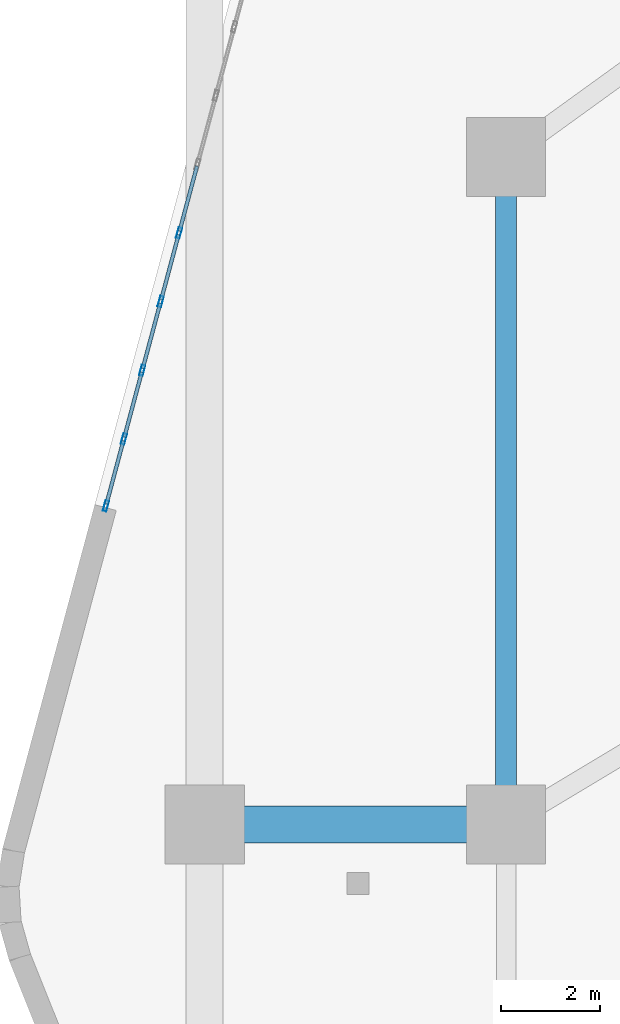
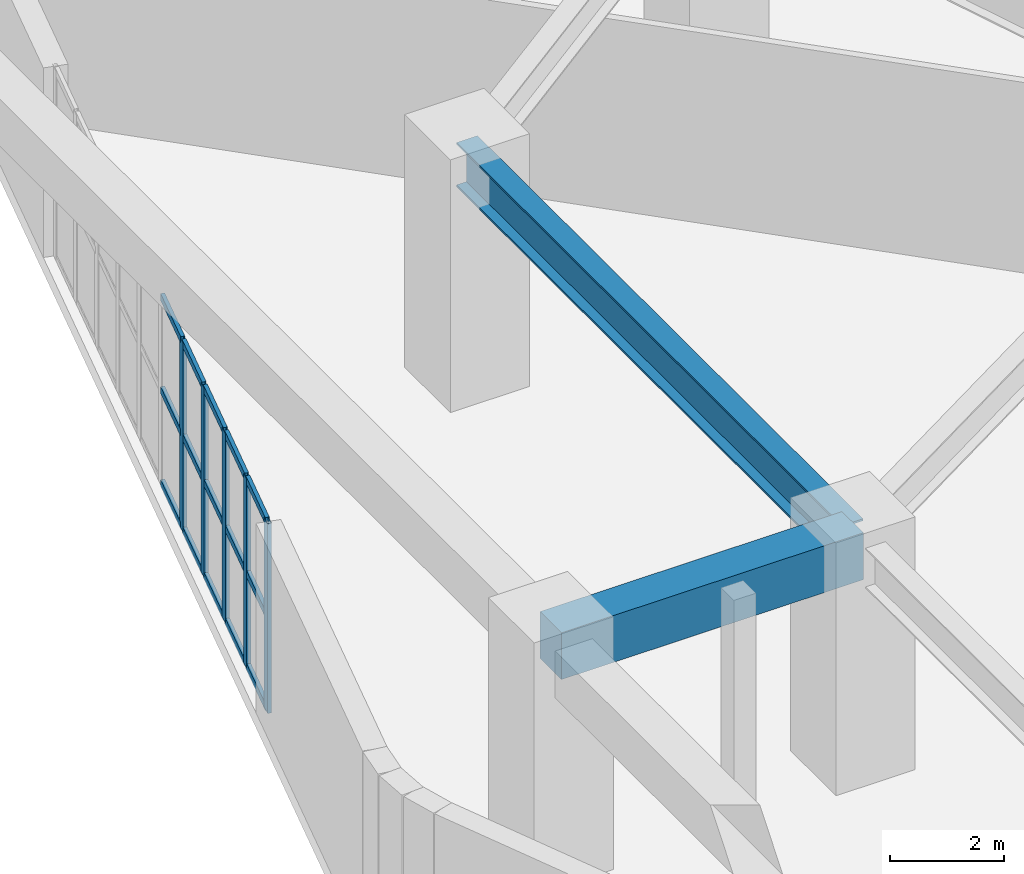
# One storey, part 13 of 34: 20 members, 2 beams, 1 element without a shape of its own.
"""IFC4 building model written with IfcOpenShell, lengths in metres."""

from ifc_helpers import new_model, si_unit, direction, frame, origin, origin_2d, place, context, subcontext, project, spatial, rectangle, hollow_rectangle, i_section, extrude, material, layer, layer_set, material_profile, profile_set, type_object, element, aggregate, save


model = new_model("IFC4")

# Units and contexts
model_context = context("Model", 3, precision=1e-05, world=origin(), true_north=direction((0.0, 1.0)))
body_context = subcontext(model_context, "Body", "Model", "MODEL_VIEW")
ifc_project = project(units=[si_unit("LENGTHUNIT", "METRE"), si_unit("AREAUNIT", "SQUARE_METRE"), si_unit("VOLUMEUNIT", "CUBIC_METRE"), si_unit("PLANEANGLEUNIT", "RADIAN"), si_unit("MASSUNIT", "GRAM", prefix="KILO")], contexts=[model_context])

# Site, building, storey
site_placement = place(None, origin())
site = spatial("IfcSite", under=ifc_project, at=site_placement, CompositionType="ELEMENT")
building_placement = place(site_placement, origin())
building = spatial("IfcBuilding", under=site, at=building_placement, Name="Kilnhurst Terrace Hotel", CompositionType="ELEMENT")
storey_placement = place(building_placement, frame((0.0, 0.0, 6.0)))
storey = spatial("IfcBuildingStorey", under=building, at=storey_placement, Name="L01", CompositionType="ELEMENT", Elevation=6.0)

# Beam
ifc_material_1 = material(Name="Steel ASTM A992 Grade 50", Category="steel")
ifc_material_profile_1 = material_profile(ifc_material_1, i_section(OverallWidth=0.423095703125, OverallDepth=0.9482421875, WebThickness=0.02392578125, FlangeThickness=0.042724609375, at=origin_2d()), Name="W36X302")
ifc_profile_set_1 = profile_set([ifc_material_profile_1], Name="Steel ASTM A992 Grade 50")
beam_type_1 = type_object("IfcBeamType", Name="BM-STL-W36X302", PredefinedType="BEAM", material=ifc_profile_set_1)
beam_1_placement = place(storey_placement, frame((-21.5, 0.0, 4.60595703125), z_axis=(0.0, 1.0, 0.0), x_axis=(-1.0, 0.0, 0.0)))
element("IfcBeam", 1, at=beam_1_placement, inside=storey, type_object=beam_type_1, Name="L01 Podium Frame Beam 2", PredefinedType="BEAM", context=body_context, shape_type="SweptSolid", body=[
    extrude(i_section(OverallWidth=0.423095703125, OverallDepth=0.9482421875, WebThickness=0.02392578125, FlangeThickness=0.042724609375, at=origin_2d()), origin(), (0.0, 0.0, 1.0), 13.5),
])

# Curtain wall, members
ifc_material_2 = material(Name="Anodized Aluminium Alloy 6063-T6 and Low-E Glass", Category="aluminium")
ifc_layer = layer(ifc_material_2, 0.219970703125, Name="Anodized Aluminium Alloy 6063-T6 and Low-E Glass")
ifc_layer_set = layer_set([ifc_layer], Name="Anodized Aluminium Alloy 6063-T6 and Low-E Glass")
curtain_wall_type = type_object("IfcCurtainWallType", Name="CW-POD-LOBBY", PredefinedType="NOTDEFINED", material=ifc_layer_set)
curtain_wall_placement = place(storey_placement, origin())
curtain_wall = element("IfcCurtainWall", 2, at=curtain_wall_placement, inside=storey, type_object=curtain_wall_type, Name="L01 Curtain Wall CW-L01-F5-1", PredefinedType="NOTDEFINED")
ifc_material_3 = material(Name="Extruded Aluminium Alloy 6063-T6", Category="aluminium")
ifc_material_profile_2 = material_profile(ifc_material_3, hollow_rectangle(XDim=0.074951171875, YDim=0.219970703125, WallThickness=0.00390625, at=origin_2d()), Name="CWM75X220")
ifc_profile_set_2 = profile_set([ifc_material_profile_2], Name="Extruded Aluminium Alloy 6063-T6")
member_type_1 = type_object("IfcMemberType", Name="MEM-CWM75X220", PredefinedType="MULLION", material=ifc_profile_set_2)
member_1_placement = place(storey_placement, frame((-28.11865234375, 11.96630859375, 0.0), z_axis=(0.0, 0.0, 1.0), x_axis=(0.965930332636, -0.258802226601, 0.0)))
member_1 = element("IfcMember", 3, at=member_1_placement, type_object=member_type_1, Name="CWL-1 mullion 7", PredefinedType="MULLION", context=body_context, shape_type="SweptSolid", body=[
    extrude(hollow_rectangle(XDim=0.074951171875, YDim=0.219970703125, WallThickness=0.00390625, at=origin_2d()), origin(), (0.0, 0.0, 1.0), 4.050048828125),
])
member_2_placement = place(storey_placement, frame((-28.490966796875, 10.576904296875, 0.0), z_axis=(0.0, 0.0, 1.0), x_axis=(0.965930332636, -0.258802226601, 0.0)))
member_2 = element("IfcMember", 4, at=member_2_placement, type_object=member_type_1, Name="CWL-1 mullion 8", PredefinedType="MULLION", context=body_context, shape_type="SweptSolid", body=[
    extrude(hollow_rectangle(XDim=0.074951171875, YDim=0.219970703125, WallThickness=0.00390625, at=origin_2d()), origin(), (0.0, 0.0, 1.0), 4.050048828125),
])
member_3_placement = place(storey_placement, frame((-28.86328125, 9.1875, 0.0), z_axis=(0.0, 0.0, 1.0), x_axis=(0.965930332636, -0.258802226601, 0.0)))
member_3 = element("IfcMember", 5, at=member_3_placement, type_object=member_type_1, Name="CWL-1 mullion 9", PredefinedType="MULLION", context=body_context, shape_type="SweptSolid", body=[
    extrude(hollow_rectangle(XDim=0.074951171875, YDim=0.219970703125, WallThickness=0.00390625, at=origin_2d()), origin(), (0.0, 0.0, 1.0), 4.050048828125),
])
member_4_placement = place(storey_placement, frame((-29.235595703125, 7.798095703125, 0.0), z_axis=(0.0, 0.0, 1.0), x_axis=(0.965930332636, -0.258802226601, 0.0)))
member_4 = element("IfcMember", 6, at=member_4_placement, type_object=member_type_1, Name="CWL-1 mullion 10", PredefinedType="MULLION", context=body_context, shape_type="SweptSolid", body=[
    extrude(hollow_rectangle(XDim=0.074951171875, YDim=0.219970703125, WallThickness=0.00390625, at=origin_2d()), origin(), (0.0, 0.0, 1.0), 4.050048828125),
])
member_5_placement = place(storey_placement, frame((-29.59814453125, 6.445068359375, 0.0), z_axis=(0.0, 0.0, 1.0), x_axis=(0.965930332636, -0.258802226601, 0.0)))
member_5 = element("IfcMember", 7, at=member_5_placement, type_object=member_type_1, Name="CWL-1 mullion 11", PredefinedType="MULLION", context=body_context, shape_type="SweptSolid", body=[
    extrude(hollow_rectangle(XDim=0.074951171875, YDim=0.219970703125, WallThickness=0.00390625, at=origin_2d()), origin(), (0.0, 0.0, 1.0), 4.050048828125),
])
ifc_material_profile_3 = material_profile(ifc_material_3, hollow_rectangle(XDim=0.074951171875, YDim=0.14990234375, WallThickness=0.00390625, at=origin_2d()), Name="CWT75X150")
ifc_profile_set_3 = profile_set([ifc_material_profile_3], Name="Extruded Aluminium Alloy 6063-T6")
member_type_2 = type_object("IfcMemberType", Name="MEM-CWT75X150", PredefinedType="USERDEFINED", material=ifc_profile_set_3)
member_6_placement = place(storey_placement, frame((-27.756103515625, 13.319580078125, 0.03759765625), z_axis=(-0.25893299655, -0.965895285886, 0.0), x_axis=(0.965895285886, -0.25893299655, 0.0)))
member_6 = element("IfcMember", 8, at=member_6_placement, type_object=member_type_2, Name="CWL-1 transom 6.1", ObjectType="TRANSOM", PredefinedType="USERDEFINED", context=body_context, shape_type="SweptSolid", body=[
    extrude(hollow_rectangle(XDim=0.074951171875, YDim=0.14990234375, WallThickness=0.00390625, at=origin_2d()), origin(), (0.0, 0.0, 1.0), 1.36328125),
])
member_7_placement = place(storey_placement, frame((-27.756103515625, 13.319580078125, 2.02490234375), z_axis=(-0.25893299655, -0.965895285886, 0.0), x_axis=(0.965895285886, -0.25893299655, 0.0)))
member_7 = element("IfcMember", 9, at=member_7_placement, type_object=member_type_2, Name="CWL-1 transom 6.2", ObjectType="TRANSOM", PredefinedType="USERDEFINED", context=body_context, shape_type="SweptSolid", body=[
    extrude(hollow_rectangle(XDim=0.074951171875, YDim=0.14990234375, WallThickness=0.00390625, at=origin_2d()), origin(), (0.0, 0.0, 1.0), 1.36328125),
])
member_8_placement = place(storey_placement, frame((-27.756103515625, 13.319580078125, 4.012451171875), z_axis=(-0.25893299655, -0.965895285886, 0.0), x_axis=(0.965895285886, -0.25893299655, 0.0)))
member_8 = element("IfcMember", 10, at=member_8_placement, type_object=member_type_2, Name="CWL-1 transom 6.3", ObjectType="TRANSOM", PredefinedType="USERDEFINED", context=body_context, shape_type="SweptSolid", body=[
    extrude(hollow_rectangle(XDim=0.074951171875, YDim=0.14990234375, WallThickness=0.00390625, at=origin_2d()), origin(), (0.0, 0.0, 1.0), 1.36328125),
])
member_9_placement = place(storey_placement, frame((-28.12841796875, 11.93017578125, 0.03759765625), z_axis=(-0.258765922348, -0.965940058923, 0.0), x_axis=(0.965940058923, -0.258765922348, 0.0)))
member_9 = element("IfcMember", 11, at=member_9_placement, type_object=member_type_2, Name="CWL-1 transom 7.1", ObjectType="TRANSOM", PredefinedType="USERDEFINED", context=body_context, shape_type="SweptSolid", body=[
    extrude(hollow_rectangle(XDim=0.074951171875, YDim=0.14990234375, WallThickness=0.00390625, at=origin_2d()), origin(), (0.0, 0.0, 1.0), 1.36328125),
])
member_10_placement = place(storey_placement, frame((-28.12841796875, 11.93017578125, 2.02490234375), z_axis=(-0.258765922348, -0.965940058923, 0.0), x_axis=(0.965940058923, -0.258765922348, 0.0)))
member_10 = element("IfcMember", 12, at=member_10_placement, type_object=member_type_2, Name="CWL-1 transom 7.2", ObjectType="TRANSOM", PredefinedType="USERDEFINED", context=body_context, shape_type="SweptSolid", body=[
    extrude(hollow_rectangle(XDim=0.074951171875, YDim=0.14990234375, WallThickness=0.00390625, at=origin_2d()), origin(), (0.0, 0.0, 1.0), 1.36328125),
])
member_11_placement = place(storey_placement, frame((-28.12841796875, 11.93017578125, 4.012451171875), z_axis=(-0.258765922348, -0.965940058923, 0.0), x_axis=(0.965940058923, -0.258765922348, 0.0)))
member_11 = element("IfcMember", 13, at=member_11_placement, type_object=member_type_2, Name="CWL-1 transom 7.3", ObjectType="TRANSOM", PredefinedType="USERDEFINED", context=body_context, shape_type="SweptSolid", body=[
    extrude(hollow_rectangle(XDim=0.074951171875, YDim=0.14990234375, WallThickness=0.00390625, at=origin_2d()), origin(), (0.0, 0.0, 1.0), 1.36328125),
])
member_12_placement = place(storey_placement, frame((-28.500732421875, 10.540771484375, 0.03759765625), z_axis=(-0.258765922348, -0.965940058923, 0.0), x_axis=(0.965940058923, -0.258765922348, 0.0)))
member_12 = element("IfcMember", 14, at=member_12_placement, type_object=member_type_2, Name="CWL-1 transom 8.1", ObjectType="TRANSOM", PredefinedType="USERDEFINED", context=body_context, shape_type="SweptSolid", body=[
    extrude(hollow_rectangle(XDim=0.074951171875, YDim=0.14990234375, WallThickness=0.00390625, at=origin_2d()), origin(), (0.0, 0.0, 1.0), 1.36328125),
])
member_13_placement = place(storey_placement, frame((-28.500732421875, 10.540771484375, 2.02490234375), z_axis=(-0.258765922348, -0.965940058923, 0.0), x_axis=(0.965940058923, -0.258765922348, 0.0)))
member_13 = element("IfcMember", 15, at=member_13_placement, type_object=member_type_2, Name="CWL-1 transom 8.2", ObjectType="TRANSOM", PredefinedType="USERDEFINED", context=body_context, shape_type="SweptSolid", body=[
    extrude(hollow_rectangle(XDim=0.074951171875, YDim=0.14990234375, WallThickness=0.00390625, at=origin_2d()), origin(), (0.0, 0.0, 1.0), 1.36328125),
])
member_14_placement = place(storey_placement, frame((-28.500732421875, 10.540771484375, 4.012451171875), z_axis=(-0.258765922348, -0.965940058923, 0.0), x_axis=(0.965940058923, -0.258765922348, 0.0)))
member_14 = element("IfcMember", 16, at=member_14_placement, type_object=member_type_2, Name="CWL-1 transom 8.3", ObjectType="TRANSOM", PredefinedType="USERDEFINED", context=body_context, shape_type="SweptSolid", body=[
    extrude(hollow_rectangle(XDim=0.074951171875, YDim=0.14990234375, WallThickness=0.00390625, at=origin_2d()), origin(), (0.0, 0.0, 1.0), 1.36328125),
])
member_15_placement = place(storey_placement, frame((-28.873046875, 9.1513671875, 0.03759765625), z_axis=(-0.258765922348, -0.965940058923, 0.0), x_axis=(0.965940058923, -0.258765922348, 0.0)))
member_15 = element("IfcMember", 17, at=member_15_placement, type_object=member_type_2, Name="CWL-1 transom 9.1", ObjectType="TRANSOM", PredefinedType="USERDEFINED", context=body_context, shape_type="SweptSolid", body=[
    extrude(hollow_rectangle(XDim=0.074951171875, YDim=0.14990234375, WallThickness=0.00390625, at=origin_2d()), origin(), (0.0, 0.0, 1.0), 1.36328125),
])
member_16_placement = place(storey_placement, frame((-28.873046875, 9.1513671875, 2.02490234375), z_axis=(-0.258765922348, -0.965940058923, 0.0), x_axis=(0.965940058923, -0.258765922348, 0.0)))
member_16 = element("IfcMember", 18, at=member_16_placement, type_object=member_type_2, Name="CWL-1 transom 9.2", ObjectType="TRANSOM", PredefinedType="USERDEFINED", context=body_context, shape_type="SweptSolid", body=[
    extrude(hollow_rectangle(XDim=0.074951171875, YDim=0.14990234375, WallThickness=0.00390625, at=origin_2d()), origin(), (0.0, 0.0, 1.0), 1.36328125),
])
member_17_placement = place(storey_placement, frame((-28.873046875, 9.1513671875, 4.012451171875), z_axis=(-0.258765922348, -0.965940058923, 0.0), x_axis=(0.965940058923, -0.258765922348, 0.0)))
member_17 = element("IfcMember", 19, at=member_17_placement, type_object=member_type_2, Name="CWL-1 transom 9.3", ObjectType="TRANSOM", PredefinedType="USERDEFINED", context=body_context, shape_type="SweptSolid", body=[
    extrude(hollow_rectangle(XDim=0.074951171875, YDim=0.14990234375, WallThickness=0.00390625, at=origin_2d()), origin(), (0.0, 0.0, 1.0), 1.36328125),
])
member_18_placement = place(storey_placement, frame((-29.245361328125, 7.761962890625, 0.03759765625), z_axis=(-0.258705405564, -0.965956268747, 0.0), x_axis=(0.965956268747, -0.258705405564, 0.0)))
member_18 = element("IfcMember", 20, at=member_18_placement, type_object=member_type_2, Name="CWL-1 transom 10.1", ObjectType="TRANSOM", PredefinedType="USERDEFINED", context=body_context, shape_type="SweptSolid", body=[
    extrude(hollow_rectangle(XDim=0.074951171875, YDim=0.14990234375, WallThickness=0.00390625, at=origin_2d()), origin(), (0.0, 0.0, 1.0), 1.325927734375),
])
member_19_placement = place(storey_placement, frame((-29.245361328125, 7.761962890625, 2.02490234375), z_axis=(-0.258705405564, -0.965956268747, 0.0), x_axis=(0.965956268747, -0.258705405564, 0.0)))
member_19 = element("IfcMember", 21, at=member_19_placement, type_object=member_type_2, Name="CWL-1 transom 10.2", ObjectType="TRANSOM", PredefinedType="USERDEFINED", context=body_context, shape_type="SweptSolid", body=[
    extrude(hollow_rectangle(XDim=0.074951171875, YDim=0.14990234375, WallThickness=0.00390625, at=origin_2d()), origin(), (0.0, 0.0, 1.0), 1.325927734375),
])
member_20_placement = place(storey_placement, frame((-29.245361328125, 7.761962890625, 4.012451171875), z_axis=(-0.258705405564, -0.965956268747, 0.0), x_axis=(0.965956268747, -0.258705405564, 0.0)))
member_20 = element("IfcMember", 22, at=member_20_placement, type_object=member_type_2, Name="CWL-1 transom 10.3", ObjectType="TRANSOM", PredefinedType="USERDEFINED", context=body_context, shape_type="SweptSolid", body=[
    extrude(hollow_rectangle(XDim=0.074951171875, YDim=0.14990234375, WallThickness=0.00390625, at=origin_2d()), origin(), (0.0, 0.0, 1.0), 1.325927734375),
])
aggregate(curtain_wall, [member_1, member_2, member_3, member_4, member_5, member_6, member_7, member_8, member_9, member_10, member_11, member_12, member_13, member_14, member_15, member_16, member_17, member_18, member_19, member_20])

# Beam
ifc_material_4 = material(Name="Concrete C50/60", Category="concrete")
ifc_material_profile_4 = material_profile(ifc_material_4, rectangle(XDim=0.75, YDim=1.0, at=origin_2d()), Name="RC750X1000")
ifc_profile_set_4 = profile_set([ifc_material_profile_4], Name="Concrete C50/60")
beam_type_2 = type_object("IfcBeamType", Name="TBM-GAR-750X1000", PredefinedType="T_BEAM", material=ifc_profile_set_4)
beam_2_placement = place(storey_placement, frame((-27.60009765625, 0.0, 4.580078125), z_axis=(1.0, 0.0, 0.0), x_axis=(0.0, 1.0, 0.0)))
element("IfcBeam", 23, at=beam_2_placement, inside=storey, type_object=beam_type_2, Name="L01 Outer Ring Tee Beam 7", PredefinedType="T_BEAM", context=body_context, shape_type="SweptSolid", body=[
    extrude(rectangle(XDim=0.75, YDim=1.0, at=origin_2d()), origin(), (0.0, 0.0, 1.0), 6.10009765625),
])

save(model, "model.ifc")
